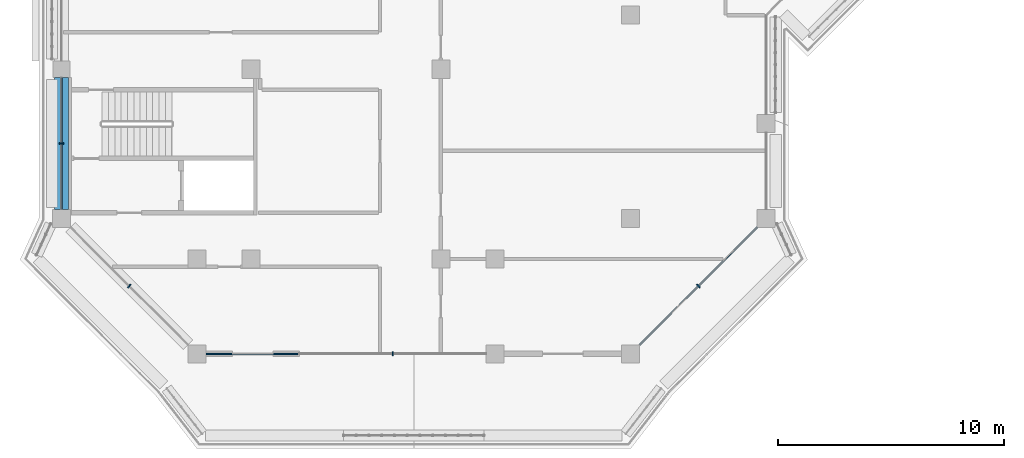
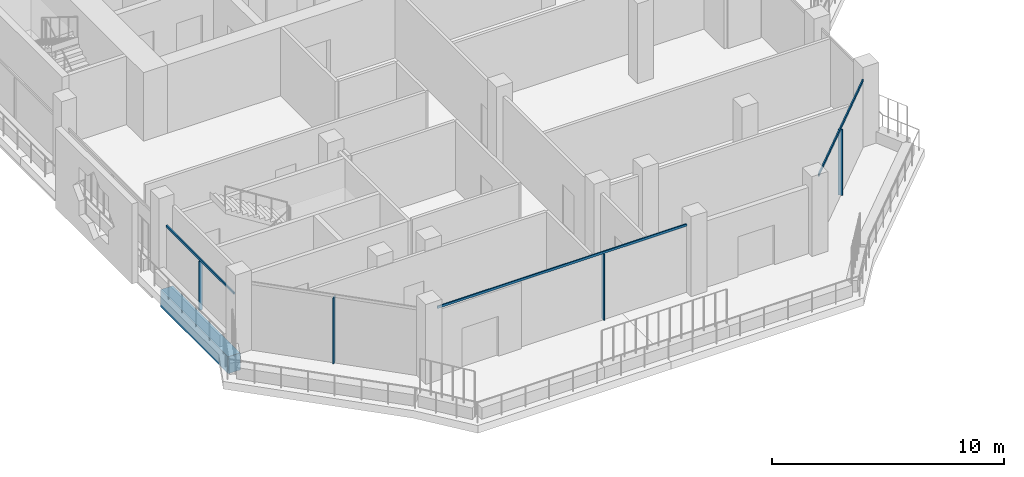
# One storey, part 2 of 22: 7 members, 1 beam, 4 elements without a shape of their own.
"""IFC4 building model written with IfcOpenShell, lengths in metres."""

from ifc_helpers import new_model, si_unit, direction, frame, origin, origin_2d, place, context, subcontext, project, spatial, rectangle, extrude, material, layer, layer_set, material_profile, profile_set, type_object, element, aggregate, save


model = new_model("IFC4")

# Units and contexts
model_context = context("Model", 3, precision=1e-05, world=origin(), true_north=direction((0.0, 1.0)))
body_context = subcontext(model_context, "Body", "Model", "MODEL_VIEW")
ifc_project = project(units=[si_unit("LENGTHUNIT", "METRE"), si_unit("AREAUNIT", "SQUARE_METRE"), si_unit("VOLUMEUNIT", "CUBIC_METRE"), si_unit("PLANEANGLEUNIT", "RADIAN"), si_unit("MASSUNIT", "GRAM", prefix="KILO")], contexts=[model_context])

# Site, building, storey
site_placement = place(None, origin())
site = spatial("IfcSite", under=ifc_project, at=site_placement, CompositionType="ELEMENT")
building_placement = place(site_placement, origin())
building = spatial("IfcBuilding", under=site, at=building_placement, Name="Kawkab Arch Medical Tower", CompositionType="ELEMENT")
storey_placement = place(building_placement, frame((0.0, 0.0, 286.0)))
storey = spatial("IfcBuildingStorey", under=building, at=storey_placement, Name="L66", CompositionType="ELEMENT", Elevation=286.0)

# Curtain wall, member
ifc_material_1 = material(Name="Bronze anodised aluminium curtain wall frame", Category="aluminium")
ifc_layer_1 = layer(ifc_material_1, 0.159912109375)
ifc_layer_set_1 = layer_set([ifc_layer_1], Name="Bronze anodised aluminium curtain wall frame")
curtain_wall_type_1 = type_object("IfcCurtainWallType", Name="CW1 ward curtain wall", PredefinedType="NOTDEFINED", material=ifc_layer_set_1)
placement = place(storey_placement, origin())
curtain_wall_1 = element("IfcCurtainWall", 1, at=placement, inside=storey, type_object=curtain_wall_type_1, Name="CW1 Ward curtain wall R12", PredefinedType="NOTDEFINED")
ifc_material_2 = material(Name="Bronze anodised aluminium curtain wall frame", Category="aluminium")
ifc_material_profile_1 = material_profile(ifc_material_2, rectangle(XDim=0.179931640625, YDim=0.06005859375, at=origin_2d()), Name="AL 60x180")
ifc_profile_set_1 = profile_set([ifc_material_profile_1], Name="Bronze anodised aluminium curtain wall frame")
member_type_1 = type_object("IfcMemberType", Name="CW1 mullion 60 x 180", PredefinedType="MULLION", material=ifc_profile_set_1)
member_1_placement = place(storey_placement, frame((0.0, -36.887451171875, 0.0), z_axis=(0.0, 0.0, 1.0), x_axis=(1.0, 0.0, 0.0)))
member_1 = element("IfcMember", 2, at=member_1_placement, type_object=member_type_1, Name="CW1 mullion 4.1", PredefinedType="MULLION", context=body_context, shape_type="SweptSolid", body=[
    extrude(rectangle(XDim=0.179931640625, YDim=0.06005859375, at=origin_2d()), origin(), (0.0, 0.0, 1.0), 2.580078125),
])

curtain_wall_2 = element("IfcCurtainWall", 3, at=placement, inside=storey, type_object=curtain_wall_type_1, Name="CW1 Ward curtain wall R14", PredefinedType="NOTDEFINED")
member_2_placement = place(storey_placement, frame((14.666748046875, -46.199951171875, 0.0), z_axis=(0.0, 0.0, 1.0), x_axis=(0.0, 1.0, 0.0)))
member_2 = element("IfcMember", 4, at=member_2_placement, type_object=member_type_1, Name="CW1 mullion 1.2", PredefinedType="MULLION", context=body_context, shape_type="SweptSolid", body=[
    extrude(rectangle(XDim=0.179931640625, YDim=0.06005859375, at=origin_2d()), origin(), (0.0, 0.0, 1.0), 3.47998046875),
])

# Member
ifc_material_3 = material(Name="Bronze anodised aluminium curtain wall frame", Category="aluminium")
ifc_material_profile_2 = material_profile(ifc_material_3, rectangle(XDim=0.06005859375, YDim=0.1201171875, at=origin_2d()), Name="AL 60x120")
ifc_profile_set_2 = profile_set([ifc_material_profile_2], Name="Bronze anodised aluminium curtain wall frame")
member_type_2 = type_object("IfcMemberType", Name="CW1 transom 120 x 60", PredefinedType="USERDEFINED", material=ifc_profile_set_2)
member_3_placement = place(storey_placement, frame((0.0, -33.97509765625, 2.639892578125), z_axis=(0.0, -1.0, 0.0), x_axis=(1.0, 0.0, 0.0)))
member_3 = element("IfcMember", 5, at=member_3_placement, type_object=member_type_2, Name="CW1 transom 4", ObjectType="TRANSOM", PredefinedType="USERDEFINED", context=body_context, shape_type="SweptSolid", body=[
    extrude(rectangle(XDim=0.06005859375, YDim=0.1201171875, at=origin_2d()), origin(), (0.0, 0.0, 1.0), 5.824951171875),
])

aggregate(curtain_wall_1, [member_3, member_1])

member_4_placement = place(storey_placement, frame((6.39990234375, -46.199951171875, 3.5400390625), z_axis=(1.0, 0.0, 0.0), x_axis=(0.0, 1.0, 0.0)))
member_4 = element("IfcMember", 6, at=member_4_placement, type_object=member_type_2, Name="CW1 transom 1", ObjectType="TRANSOM", PredefinedType="USERDEFINED", context=body_context, shape_type="SweptSolid", body=[
    extrude(rectangle(XDim=0.06005859375, YDim=0.1201171875, at=origin_2d()), origin(), (0.0, 0.0, 1.0), 12.400146484375),
])

aggregate(curtain_wall_2, [member_4, member_2])

# Curtain wall, member
ifc_material_4 = material(Name="Bronze anodised aluminium curtain wall frame", Category="aluminium")
ifc_layer_2 = layer(ifc_material_4, 0.159912109375)
ifc_layer_set_2 = layer_set([ifc_layer_2], Name="Bronze anodised aluminium curtain wall frame")
curtain_wall_type_2 = type_object("IfcCurtainWallType", Name="CW2 chamfer curtain wall", PredefinedType="NOTDEFINED", material=ifc_layer_set_2)
curtain_wall_3 = element("IfcCurtainWall", 7, at=placement, inside=storey, type_object=curtain_wall_type_2, Name="CW2 Chamfer curtain wall R13", PredefinedType="NOTDEFINED")
ifc_material_5 = material(Name="Bronze anodised aluminium curtain wall frame", Category="aluminium")
ifc_material_profile_3 = material_profile(ifc_material_5, rectangle(XDim=0.199951171875, YDim=0.06005859375, at=origin_2d()), Name="AL 60x200")
ifc_profile_set_3 = profile_set([ifc_material_profile_3], Name="Bronze anodised aluminium curtain wall frame")
member_type_3 = type_object("IfcMemberType", Name="CW2 mullion 60 x 200", PredefinedType="MULLION", material=ifc_profile_set_3)
member_5_placement = place(storey_placement, frame((3.0, -43.199951171875, 0.0), z_axis=(0.0, 0.0, 1.0), x_axis=(0.707106781187, 0.707106781187, 0.0)))
member_5 = element("IfcMember", 8, at=member_5_placement, type_object=member_type_3, Name="CW2 mullion 1.1", PredefinedType="MULLION", context=body_context, shape_type="SweptSolid", body=[
    extrude(rectangle(XDim=0.199951171875, YDim=0.06005859375, at=origin_2d()), origin(), (0.0, 0.0, 1.0), 3.4599609375),
])
aggregate(curtain_wall_3, [member_5])

# Curtain wall, members
curtain_wall_4 = element("IfcCurtainWall", 9, at=placement, inside=storey, type_object=curtain_wall_type_2, Name="CW2 Chamfer curtain wall R15", PredefinedType="NOTDEFINED")
member_6_placement = place(storey_placement, frame((28.199951171875, -43.199951171875, 0.0), z_axis=(0.0, 0.0, 1.0), x_axis=(-0.707106781187, 0.707106781187, 0.0)))
member_6 = element("IfcMember", 10, at=member_6_placement, type_object=member_type_3, Name="CW2 mullion 1.1", PredefinedType="MULLION", context=body_context, shape_type="SweptSolid", body=[
    extrude(rectangle(XDim=0.199951171875, YDim=0.06005859375, at=origin_2d()), origin(), (0.0, 0.0, 1.0), 3.4599609375),
])
ifc_material_6 = material(Name="Bronze anodised aluminium curtain wall frame", Category="aluminium")
ifc_material_profile_4 = material_profile(ifc_material_6, rectangle(XDim=0.06005859375, YDim=0.139892578125, at=origin_2d()), Name="AL 60x140")
ifc_profile_set_4 = profile_set([ifc_material_profile_4], Name="Bronze anodised aluminium curtain wall frame")
member_type_4 = type_object("IfcMemberType", Name="CW2 transom 140 x 60", PredefinedType="USERDEFINED", material=ifc_profile_set_4)
member_7_placement = place(storey_placement, frame((25.60009765625, -45.800048828125, 3.530029296875), z_axis=(0.707106781187, 0.707106781187, 0.0), x_axis=(-0.707106781187, 0.707106781187, 0.0)))
member_7 = element("IfcMember", 11, at=member_7_placement, type_object=member_type_4, Name="CW2 transom 1", ObjectType="TRANSOM", PredefinedType="USERDEFINED", context=body_context, shape_type="SweptSolid", body=[
    extrude(rectangle(XDim=0.06005859375, YDim=0.139892578125, at=origin_2d()), origin(), (0.0, 0.0, 1.0), 7.353759765625),
])
aggregate(curtain_wall_4, [member_7, member_6])

# Beam
ifc_material_7 = material(Name="Concrete C40/50", Category="concrete")
ifc_material_profile_5 = material_profile(ifc_material_7, rectangle(XDim=0.60009765625, YDim=0.89990234375, at=origin_2d()), Name="RC 600x900")
ifc_profile_set_5 = profile_set([ifc_material_profile_5], Name="Concrete C40/50")
beam_type = type_object("IfcBeamType", Name="RC 600x900 beam C40/50", PredefinedType="BEAM", material=ifc_profile_set_5)
beam_placement = place(storey_placement, frame((0.0, -39.800048828125, -1.050048828125), z_axis=(0.0, 1.0, 0.0), x_axis=(-1.0, 0.0, 0.0)))
element("IfcBeam", 12, at=beam_placement, inside=storey, type_object=beam_type, Name="Overhang edge beam L66-03", PredefinedType="BEAM", context=body_context, shape_type="SweptSolid", body=[
    extrude(rectangle(XDim=0.60009765625, YDim=0.89990234375, at=origin_2d()), origin(), (0.0, 0.0, 1.0), 5.824951171875),
])

save(model, "model.ifc")
